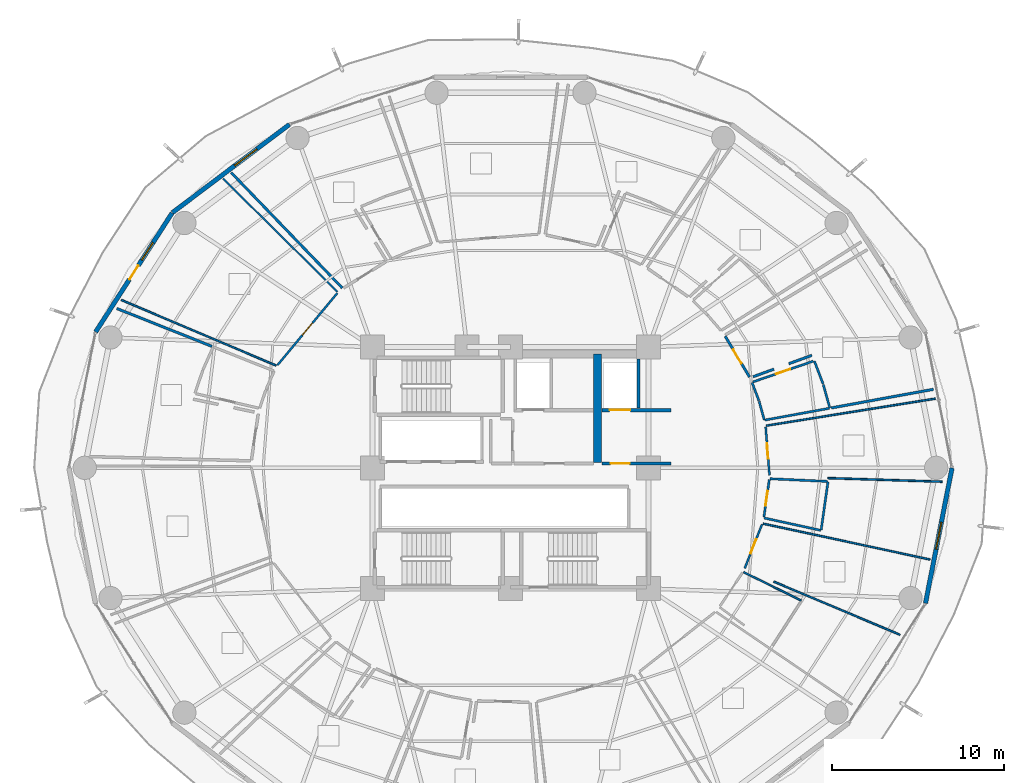
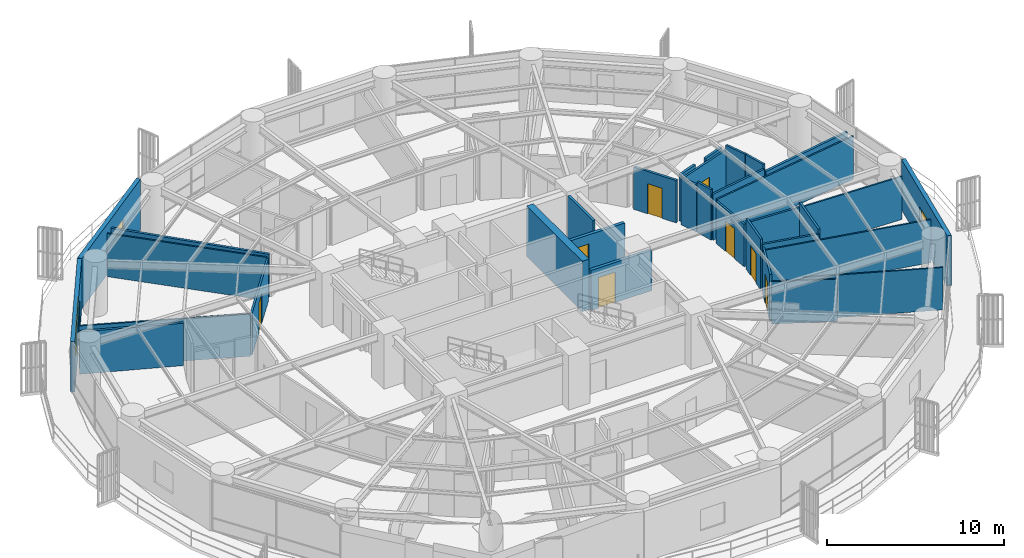
# One storey, part 27 of 33: 33 walls, 9 doors, 3 windows, 12 openings.
"""IFC4 building model written with IfcOpenShell, lengths in metres."""

from ifc_helpers import new_model, si_unit, direction, frame, frame_2d, origin, place, context, subcontext, project, spatial, rectangle, extrude, material, layer, layer_set, type_object, element, fill, save


model = new_model("IFC4")

# Units and contexts
model_context = context("Model", 3, precision=1e-05, world=origin(), true_north=direction((0.0, 1.0)))
body_context = subcontext(model_context, "Body", "Model", "MODEL_VIEW")
ifc_project = project(units=[si_unit("LENGTHUNIT", "METRE"), si_unit("AREAUNIT", "SQUARE_METRE"), si_unit("VOLUMEUNIT", "CUBIC_METRE"), si_unit("PLANEANGLEUNIT", "RADIAN"), si_unit("MASSUNIT", "GRAM", prefix="KILO")], contexts=[model_context])

# Site, building, storey
site_placement = place(None, origin())
site = spatial("IfcSite", under=ifc_project, at=site_placement, CompositionType="ELEMENT")
building_placement = place(site_placement, origin())
building = spatial("IfcBuilding", under=site, at=building_placement, Name="Kelanora Arch Commons", CompositionType="ELEMENT")
storey_placement = place(building_placement, frame((0.0, 0.0, 80.10009765625)))
storey = spatial("IfcBuildingStorey", under=building, at=storey_placement, Name="L20", CompositionType="ELEMENT", Elevation=80.10009765625)

# Wall
ifc_material_1 = material(Name="Autoclaved aerated concrete blockwork with fire plaster", Category="masonry")
ifc_layer_1 = layer(ifc_material_1, 0.14990234375)
ifc_layer_set_1 = layer_set([ifc_layer_1], Name="Autoclaved aerated concrete blockwork with fire plaster")
wall_type_1 = type_object("IfcWallType", Name="W-COMP-150", PredefinedType="PARTITIONING", material=ifc_layer_set_1)
wall_1_placement = place(storey_placement, frame((81.419921875, 61.47998046875, 0.0), z_axis=(0.0, 0.0, 1.0), x_axis=(0.0, 1.0, 0.0)))
element("IfcWall", 1, at=wall_1_placement, inside=storey, type_object=wall_type_1, Name="Firefighting Lift 2 East Shaft Wall L20", PredefinedType="PARTITIONING", context=body_context, shape_type="SweptSolid", body=[
    extrude(rectangle(XDim=2.840087890625, YDim=0.14990234375, at=frame_2d((1.419921875, 0.0))), origin(), (0.0, 0.0, 1.0), 3.47998046875),
])

# Wall, opening, door
wall_2_placement = place(storey_placement, frame((87.856201171875, 63.2666015625, 0.0), z_axis=(0.0, 0.0, 1.0), x_axis=(-0.512288635556, 0.858813340535, 0.0)))
wall_2 = element("IfcWall", 2, at=wall_2_placement, inside=storey, type_object=wall_type_1, Name="Co-Living Studio L20-01 Entry Partition", PredefinedType="PARTITIONING", context=body_context, shape_type="SweptSolid", body=[
    extrude(rectangle(XDim=2.751220703125, YDim=0.14990234375, at=frame_2d((1.37548828125, 0.0))), origin(), (0.0, 0.0, 1.0), 2.9248046875),
])
opening_1_placement = place(wall_2_placement, frame((0.90087890625, 0.0, 0.0)))
opening_1 = element("IfcOpeningElement", 3, at=opening_1_placement, cuts=wall_2, Name="Opening D-CLU1", PredefinedType="OPENING", context=body_context, shape_type="SweptSolid", body=[
    extrude(rectangle(XDim=0.949951171875, YDim=2.080078125, at=frame_2d((0.47509765625, 1.0400390625))), frame((0.0, 0.0849609375, 0.0), z_axis=(0.0, -1.0, 0.0), x_axis=(1.0, 0.0, 0.0)), (0.0, 0.0, 1.0), 0.169921875),
])
ifc_material_2 = material(Name="Solid-core acoustic timber cluster entry fire door", Category="wood")
door_type_1 = type_object("IfcDoorType", Name="D-CLU-95", OperationType="NOTDEFINED", PredefinedType="DOOR", material=ifc_material_2)
door_1_placement = place(opening_1_placement, origin())
door_1 = element("IfcDoor", 4, at=door_1_placement, inside=storey, type_object=door_type_1, Name="Co-Living Studio L20-01 Door", OperationType="SINGLE_SWING_RIGHT", OverallHeight=2.080078125, OverallWidth=0.949951171875, PredefinedType="DOOR", context=body_context, shape_type="SweptSolid", body=[
    extrude(rectangle(XDim=0.949951171875, YDim=2.080078125, at=frame_2d((0.47509765625, 1.0400390625))), frame((0.0, 0.02490234375, 0.0), z_axis=(0.0, -1.0, 0.0), x_axis=(1.0, 0.0, 0.0)), (0.0, 0.0, 1.0), 0.050048828125),
])
fill(opening_1, door_1)

# Walls
wall_3_placement = place(storey_placement, frame((98.51953125, 62.5517578125, 0.0), z_axis=(0.0, 0.0, 1.0), x_axis=(-0.983768558102, -0.17944197973, 0.0)))
element("IfcWall", 5, at=wall_3_placement, inside=storey, type_object=wall_type_1, Name="Co-Living Studio L20-01 Enclosure Partition 5", PredefinedType="PARTITIONING", context=body_context, shape_type="SweptSolid", body=[
    extrude(rectangle(XDim=6.021728515625, YDim=0.14990234375, at=frame_2d((3.0107421875, 0.0))), origin(), (0.0, 0.0, 1.0), 2.974853515625),
])
wall_4_placement = place(storey_placement, frame((91.470458984375, 64.521240234375, 0.0), z_axis=(0.0, 0.0, 1.0), x_axis=(-0.939526959999, -0.342474950084, 0.0)))
element("IfcWall", 6, at=wall_4_placement, inside=storey, type_object=wall_type_1, Name="Co-Living Studio L20-01 Enclosure Partition 7", PredefinedType="PARTITIONING", context=body_context, shape_type="SweptSolid", body=[
    extrude(rectangle(XDim=1.41943359375, YDim=0.14990234375, at=frame_2d((0.709716796875, 0.0))), origin(), (0.0, 0.0, 1.0), 3.1748046875),
])
wall_5_placement = place(storey_placement, frame((89.2724609375, 63.719970703125, 0.0), z_axis=(0.0, 0.0, 1.0), x_axis=(-0.939522570491, -0.342486991779, 0.0)))
element("IfcWall", 7, at=wall_5_placement, inside=storey, type_object=wall_type_1, Name="Co-Living Studio L20-01 Enclosure Partition 7", PredefinedType="PARTITIONING", context=body_context, shape_type="SweptSolid", body=[
    extrude(rectangle(XDim=1.291015625, YDim=0.14990234375, at=frame_2d((0.6455078125, 0.0))), origin(), (0.0, 0.0, 1.0), 3.23486328125),
])
wall_6_placement = place(storey_placement, frame((64.251220703125, 68.423828125, 0.0), z_axis=(0.0, 0.0, 1.0), x_axis=(-0.693645221886, 0.720316809574, 0.0)))
element("IfcWall", 8, at=wall_6_placement, inside=storey, type_object=wall_type_1, Name="Co-Living Studio L20-05 Enclosure Partition 2", PredefinedType="PARTITIONING", context=body_context, shape_type="SweptSolid", body=[
    extrude(rectangle(XDim=9.290771484375, YDim=0.14990234375, at=frame_2d((4.6455078125, 0.0))), origin(), (0.0, 0.0, 1.0), 2.974853515625),
])
wall_7_placement = place(storey_placement, frame((51.17919921875, 67.236083984375, 0.0), z_axis=(0.0, 0.0, 1.0), x_axis=(0.929212756669, -0.369545197294, 0.0)))
element("IfcWall", 9, at=wall_7_placement, inside=storey, type_object=wall_type_1, Name="Co-Living Studio L20-07 Enclosure Partition 5", PredefinedType="PARTITIONING", context=body_context, shape_type="SweptSolid", body=[
    extrude(rectangle(XDim=5.9326171875, YDim=0.14990234375, at=frame_2d((2.96630859375, 0.0))), origin(), (0.0, 0.0, 1.0), 2.9248046875),
])
ifc_material_3 = material(Name="Concrete C60/75", Category="concrete")
ifc_layer_2 = layer(ifc_material_3, 0.449951171875)
ifc_layer_set_2 = layer_set([ifc_layer_2], Name="Concrete C60/75")
wall_type_2 = type_object("IfcWallType", Name="W-CORE-450", PredefinedType="SHEAR", material=ifc_layer_set_2)
wall_8_placement = place(storey_placement, frame((79.050048828125, 58.300048828125, 0.0), z_axis=(0.0, 0.0, 1.0), x_axis=(0.0, 1.0, 0.0)))
element("IfcWall", 10, at=wall_8_placement, inside=storey, type_object=wall_type_2, Name="Core Shear Spine L20-CE-N", PredefinedType="SHEAR", context=body_context, shape_type="SweptSolid", body=[
    extrude(rectangle(XDim=6.300048828125, YDim=0.449951171875, at=frame_2d((3.14990234375, 0.0))), origin(), (0.0, 0.0, 1.0), 3.489990234375),
])

# Wall, opening, window
ifc_material_4 = material(Name="Precast concrete C40/50 with terracotta rainscreen", Category="masonry")
ifc_layer_3 = layer(ifc_material_4, 0.260009765625)
ifc_layer_set_3 = layer_set([ifc_layer_3], Name="Precast concrete C40/50 with terracotta rainscreen")
wall_type_3 = type_object("IfcWallType", Name="W-EXT-TC", PredefinedType="SOLIDWALL", material=ifc_layer_set_3)
wall_9_placement = place(storey_placement, frame((61.18798828125, 77.90966796875, 0.0), z_axis=(0.0, 0.0, 1.0), x_axis=(-0.798501507879, -0.601992808857, 0.0)))
wall_9 = element("IfcWall", 11, at=wall_9_placement, inside=storey, type_object=wall_type_3, Name="Terracotta Exterior Wall L20-B06", PredefinedType="SOLIDWALL", context=body_context, shape_type="SweptSolid", body=[
    extrude(rectangle(XDim=8.499267578125, YDim=0.260009765625, at=frame_2d((4.24951171875, 0.0))), origin(), (0.0, 0.0, 1.0), 3.474853515625),
])
opening_2_placement = place(wall_9_placement, frame((2.3701171875, 0.0, 0.85009765625)))
opening_2 = element("IfcOpeningElement", 12, at=opening_2_placement, cuts=wall_9, Name="Opening WN-01", PredefinedType="OPENING", context=body_context, shape_type="SweptSolid", body=[
    extrude(rectangle(XDim=1.60009765625, YDim=1.449951171875, at=frame_2d((0.800048828125, 0.72509765625))), frame((0.0, 0.14013671875, 0.0), z_axis=(0.0, -1.0, 0.0), x_axis=(1.0, 0.0, 0.0)), (0.0, 0.0, 1.0), 0.280029296875),
])
ifc_material_5 = material(Name="Terracotta-anodised aluminium frame with operable low-E glazing", Category="masonry")
window_type_1 = type_object("IfcWindowType", Name="WIN-CL-18", PartitioningType="DOUBLE_PANEL_VERTICAL", PredefinedType="WINDOW", material=ifc_material_5)
window_1_placement = place(opening_2_placement, origin())
window_1 = element("IfcWindow", 13, at=window_1_placement, inside=storey, type_object=window_type_1, Name="Co-Living Operable Window L20-B06", OverallHeight=1.449951171875, OverallWidth=1.60009765625, PartitioningType="SINGLE_PANEL", PredefinedType="WINDOW", context=body_context, shape_type="SweptSolid", body=[
    extrude(rectangle(XDim=1.60009765625, YDim=1.449951171875, at=frame_2d((0.800048828125, 0.72509765625))), frame((0.0, 0.030029296875, 0.0), z_axis=(0.0, -1.0, 0.0), x_axis=(1.0, 0.0, 0.0)), (0.0, 0.0, 1.0), 0.06005859375),
])
fill(opening_2, window_1)

# Wall, openings, door, window
wall_10_placement = place(storey_placement, frame((54.381103515625, 72.771484375, 0.0), z_axis=(0.0, 0.0, 1.0), x_axis=(-0.540620528459, -0.841266571432, 0.0)))
wall_10 = element("IfcWall", 14, at=wall_10_placement, inside=storey, type_object=wall_type_3, Name="Terracotta Exterior Wall L20-B07", PredefinedType="SOLIDWALL", context=body_context, shape_type="SweptSolid", body=[
    extrude(rectangle(XDim=8.19287109375, YDim=0.260009765625, at=frame_2d((4.096435546875, 0.0))), origin(), (0.0, 0.0, 1.0), 3.474853515625),
])
opening_3_placement = place(wall_10_placement, frame((3.62109375, 0.0, 0.0)))
opening_3 = element("IfcOpeningElement", 15, at=opening_3_placement, cuts=wall_10, Name="Opening DB-01", PredefinedType="OPENING", context=body_context, shape_type="SweptSolid", body=[
    extrude(rectangle(XDim=0.949951171875, YDim=2.10009765625, at=frame_2d((0.47509765625, 1.050048828125))), frame((0.0, 0.14013671875, 0.0), z_axis=(0.0, -1.0, 0.0), x_axis=(1.0, 0.0, 0.0)), (0.0, 0.0, 1.0), 0.280029296875),
])
opening_4_placement = place(wall_10_placement, frame((2.041015625, 0.0, 0.85009765625)))
opening_4 = element("IfcOpeningElement", 16, at=opening_4_placement, cuts=wall_10, Name="Opening WN-02", PredefinedType="OPENING", context=body_context, shape_type="SweptSolid", body=[
    extrude(rectangle(XDim=1.199951171875, YDim=1.449951171875, at=frame_2d((0.60009765625, 0.72509765625))), frame((0.0, 0.14013671875, 0.0), z_axis=(0.0, -1.0, 0.0), x_axis=(1.0, 0.0, 0.0)), (0.0, 0.0, 1.0), 0.280029296875),
])
ifc_material_6 = material(Name="Terracotta-aluminium thermally broken glazed balcony door", Category="masonry")
door_type_2 = type_object("IfcDoorType", Name="D-BAL-10", OperationType="NOTDEFINED", PredefinedType="DOOR", material=ifc_material_6)
door_2_placement = place(opening_3_placement, frame((0.949951171875, 0.0, 0.0), z_axis=(0.0, 0.0, 1.0), x_axis=(-1.0, 0.0, 0.0)))
door_2 = element("IfcDoor", 17, at=door_2_placement, inside=storey, type_object=door_type_2, Name="Wave Balcony Door L20-B07", OperationType="SINGLE_SWING_RIGHT", OverallHeight=2.10009765625, OverallWidth=0.949951171875, PredefinedType="DOOR", context=body_context, shape_type="SweptSolid", body=[
    extrude(rectangle(XDim=0.949951171875, YDim=2.10009765625, at=frame_2d((0.47509765625, 1.050048828125))), frame((0.0, 0.02490234375, 0.0), z_axis=(0.0, -1.0, 0.0), x_axis=(1.0, 0.0, 0.0)), (0.0, 0.0, 1.0), 0.050048828125),
])
fill(opening_3, door_2)
ifc_material_7 = material(Name="Terracotta-anodised aluminium frame with operable awning sash", Category="masonry")
window_type_2 = type_object("IfcWindowType", Name="WIN-CL-12", PartitioningType="SINGLE_PANEL", PredefinedType="WINDOW", material=ifc_material_7)
window_2_placement = place(opening_4_placement, origin())
window_2 = element("IfcWindow", 18, at=window_2_placement, inside=storey, type_object=window_type_2, Name="Co-Living Operable Window L20-B07", OverallHeight=1.449951171875, OverallWidth=1.199951171875, PartitioningType="SINGLE_PANEL", PredefinedType="WINDOW", context=body_context, shape_type="SweptSolid", body=[
    extrude(rectangle(XDim=1.199951171875, YDim=1.449951171875, at=frame_2d((0.60009765625, 0.72509765625))), frame((0.0, 0.030029296875, 0.0), z_axis=(0.0, -1.0, 0.0), x_axis=(1.0, 0.0, 0.0)), (0.0, 0.0, 1.0), 0.06005859375),
])
fill(opening_4, window_2)

# Wall, opening, window
wall_11_placement = place(storey_placement, frame((98.05908203125, 50.148193359375, 0.0), z_axis=(0.0, 0.0, 1.0), x_axis=(0.192581843632, 0.981280914674, 0.0)))
wall_11 = element("IfcWall", 19, at=wall_11_placement, inside=storey, type_object=wall_type_3, Name="Terracotta Exterior Wall L20-B17", PredefinedType="SOLIDWALL", context=body_context, shape_type="SweptSolid", body=[
    extrude(rectangle(XDim=7.986572265625, YDim=0.260009765625, at=frame_2d((3.9931640625, 0.0))), origin(), (0.0, 0.0, 1.0), 3.474853515625),
])
opening_5_placement = place(wall_11_placement, frame((3.193115234375, 0.0, 0.85009765625)))
opening_5 = element("IfcOpeningElement", 20, at=opening_5_placement, cuts=wall_11, Name="Opening WN-01", PredefinedType="OPENING", context=body_context, shape_type="SweptSolid", body=[
    extrude(rectangle(XDim=1.60009765625, YDim=1.449951171875, at=frame_2d((0.800048828125, 0.72509765625))), frame((0.0, 0.14013671875, 0.0), z_axis=(0.0, -1.0, 0.0), x_axis=(1.0, 0.0, 0.0)), (0.0, 0.0, 1.0), 0.280029296875),
])
window_3_placement = place(opening_5_placement, origin())
window_3 = element("IfcWindow", 21, at=window_3_placement, inside=storey, type_object=window_type_1, Name="Co-Living Operable Window L20-B17", OverallHeight=1.449951171875, OverallWidth=1.60009765625, PartitioningType="SINGLE_PANEL", PredefinedType="WINDOW", context=body_context, shape_type="SweptSolid", body=[
    extrude(rectangle(XDim=1.60009765625, YDim=1.449951171875, at=frame_2d((0.800048828125, 0.72509765625))), frame((0.0, 0.030029296875, 0.0), z_axis=(0.0, -1.0, 0.0), x_axis=(1.0, 0.0, 0.0)), (0.0, 0.0, 1.0), 0.06005859375),
])
fill(opening_5, window_3)

# Wall, opening, door
ifc_material_8 = material(Name="Concrete C40/50", Category="concrete")
ifc_layer_4 = layer(ifc_material_8, 0.199951171875)
ifc_layer_set_4 = layer_set([ifc_layer_4], Name="Concrete C40/50")
wall_type_4 = type_object("IfcWallType", Name="W-FFL-200", PredefinedType="SOLIDWALL", material=ifc_layer_set_4)
wall_12_placement = place(storey_placement, frame((79.300048828125, 61.35009765625, 0.0), z_axis=(0.0, 0.0, 1.0), x_axis=(1.0, 0.0, 0.0)))
wall_12 = element("IfcWall", 22, at=wall_12_placement, inside=storey, type_object=wall_type_4, Name="Firefighting Lift 2 Shaft Front L20", PredefinedType="SOLIDWALL", context=body_context, shape_type="SweptSolid", body=[
    extrude(rectangle(XDim=4.0, YDim=0.199951171875, at=frame_2d((2.0, 0.0))), origin(), (0.0, 0.0, 1.0), 2.77490234375),
])
opening_6_placement = place(wall_12_placement, frame((0.449951171875, 0.0, 0.0)))
opening_6 = element("IfcOpeningElement", 23, at=opening_6_placement, cuts=wall_12, Name="Opening LD-FF", PredefinedType="OPENING", context=body_context, shape_type="SweptSolid", body=[
    extrude(rectangle(XDim=1.199951171875, YDim=2.14990234375, at=frame_2d((0.60009765625, 1.074951171875))), frame((0.0, 0.10986328125, 0.0), z_axis=(0.0, -1.0, 0.0), x_axis=(1.0, 0.0, 0.0)), (0.0, 0.0, 1.0), 0.219970703125),
])
ifc_material_9 = material(Name="Fire-rated firefighters lift sliding landing door")
door_type_3 = type_object("IfcDoorType", Name="D-LIFT-FF", OperationType="NOTDEFINED", PredefinedType="DOOR", material=ifc_material_9)
door_3_placement = place(opening_6_placement, origin())
door_3 = element("IfcDoor", 24, at=door_3_placement, inside=storey, type_object=door_type_3, Name="Firefighting Lift LF-FF2 Landing Door L20", OperationType="DOUBLE_DOOR_SLIDING", OverallHeight=2.14990234375, OverallWidth=1.199951171875, PredefinedType="DOOR", context=body_context, shape_type="SweptSolid", body=[
    extrude(rectangle(XDim=1.199951171875, YDim=2.14990234375, at=frame_2d((0.60009765625, 1.074951171875))), frame((0.0, 0.02490234375, 0.0), z_axis=(0.0, -1.0, 0.0), x_axis=(1.0, 0.0, 0.0)), (0.0, 0.0, 1.0), 0.050048828125),
])
fill(opening_6, door_3)

wall_13_placement = place(storey_placement, frame((79.300048828125, 58.25, 0.0), z_axis=(0.0, 0.0, 1.0), x_axis=(1.0, 0.0, 0.0)))
wall_13 = element("IfcWall", 25, at=wall_13_placement, inside=storey, type_object=wall_type_4, Name="Firefighting Lobby 2 Enclosure Wall L20", PredefinedType="SOLIDWALL", context=body_context, shape_type="SweptSolid", body=[
    extrude(rectangle(XDim=4.0, YDim=0.199951171875, at=frame_2d((2.0, 0.0))), origin(), (0.0, 0.0, 1.0), 2.77490234375),
])
opening_7_placement = place(wall_13_placement, frame((0.5, 0.0, 0.0)))
opening_7 = element("IfcOpeningElement", 26, at=opening_7_placement, cuts=wall_13, Name="Opening D-FFL1", PredefinedType="OPENING", context=body_context, shape_type="SweptSolid", body=[
    extrude(rectangle(XDim=1.10009765625, YDim=2.10009765625, at=frame_2d((0.550048828125, 1.050048828125))), frame((0.0, 0.10986328125, 0.0), z_axis=(0.0, -1.0, 0.0), x_axis=(1.0, 0.0, 0.0)), (0.0, 0.0, 1.0), 0.219970703125),
])
ifc_material_10 = material(Name="Smoke-sealed firefighting lobby fire door")
door_type_4 = type_object("IfcDoorType", Name="D-FFL-110", OperationType="NOTDEFINED", PredefinedType="DOOR", material=ifc_material_10)
door_4_placement = place(opening_7_placement, frame((1.10009765625, 0.0, 0.0), z_axis=(0.0, 0.0, 1.0), x_axis=(-1.0, 0.0, 0.0)))
door_4 = element("IfcDoor", 27, at=door_4_placement, inside=storey, type_object=door_type_4, Name="Firefighting Lobby 2 Door L20", OperationType="SINGLE_SWING_RIGHT", OverallHeight=2.10009765625, OverallWidth=1.10009765625, PredefinedType="DOOR", context=body_context, shape_type="SweptSolid", body=[
    extrude(rectangle(XDim=1.10009765625, YDim=2.10009765625, at=frame_2d((0.550048828125, 1.050048828125))), frame((0.0, 0.02490234375, 0.0), z_axis=(0.0, -1.0, 0.0), x_axis=(1.0, 0.0, 0.0)), (0.0, 0.0, 1.0), 0.050048828125),
])
fill(opening_7, door_4)

# Walls
ifc_material_11 = material(Name="Lightweight fire-rated acoustic stud partition")
ifc_layer_5 = layer(ifc_material_11, 0.10009765625)
ifc_layer_set_5 = layer_set([ifc_layer_5], Name="Lightweight fire-rated acoustic stud partition")
wall_type_5 = type_object("IfcWallType", Name="W-PART-100", PredefinedType="PARTITIONING", material=ifc_layer_set_5)
wall_14_placement = place(storey_placement, frame((60.420166015625, 63.926513671875, 0.0), z_axis=(0.0, 0.0, 1.0), x_axis=(-0.920723225206, 0.390216276654, 0.0)))
element("IfcWall", 28, at=wall_14_placement, inside=storey, type_object=wall_type_5, Name="Social Sky Lounge L20-06 Enclosure Partition 2", PredefinedType="PARTITIONING", context=body_context, shape_type="SweptSolid", body=[
    extrude(rectangle(XDim=9.755859375, YDim=0.10009765625, at=frame_2d((4.8779296875, 0.0))), origin(), (0.0, 0.0, 1.0), 2.9248046875),
])
wall_15_placement = place(storey_placement, frame((57.344482421875, 74.755859375, 0.0), z_axis=(0.0, 0.0, 1.0), x_axis=(0.711285789258, -0.702902927864, 0.0)))
element("IfcWall", 29, at=wall_15_placement, inside=storey, type_object=wall_type_5, Name="Social Sky Lounge L20-06 Enclosure Partition 4", PredefinedType="PARTITIONING", context=body_context, shape_type="SweptSolid", body=[
    extrude(rectangle(XDim=9.319580078125, YDim=0.10009765625, at=frame_2d((4.65966796875, 0.0))), origin(), (0.0, 0.0, 1.0), 2.974853515625),
])
wall_16_placement = place(storey_placement, frame((87.515869140625, 51.953369140625, 0.0), z_axis=(0.0, 0.0, 1.0), x_axis=(0.896816300292, -0.442403123328, 0.0)))
element("IfcWall", 30, at=wall_16_placement, inside=storey, type_object=wall_type_5, Name="Student Laundry Room L20-14 Enclosure Partition 2", PredefinedType="PARTITIONING", context=body_context, shape_type="SweptSolid", body=[
    extrude(rectangle(XDim=3.719970703125, YDim=0.10009765625, at=frame_2d((1.85986328125, 0.0))), origin(), (0.0, 0.0, 1.0), 2.9248046875),
])
wall_17_placement = place(storey_placement, frame((88.64111328125, 54.763671875, 0.0), z_axis=(0.0, 0.0, 1.0), x_axis=(0.97772336182, -0.209897660187, 0.0)))
element("IfcWall", 31, at=wall_17_placement, inside=storey, type_object=wall_type_5, Name="Quiet Reading Carrel L20-14 Enclosure Partition 2", PredefinedType="PARTITIONING", context=body_context, shape_type="SweptSolid", body=[
    extrude(rectangle(XDim=9.906494140625, YDim=0.10009765625, at=frame_2d((4.953125, 0.0))), origin(), (0.0, 0.0, 1.0), 2.974853515625),
])
wall_18_placement = place(storey_placement, frame((96.590087890625, 48.318603515625, 0.0), z_axis=(0.0, 0.0, 1.0), x_axis=(-0.92163364156, 0.388061117279, 0.0)))
element("IfcWall", 32, at=wall_18_placement, inside=storey, type_object=wall_type_5, Name="Quiet Reading Carrel L20-14 Enclosure Partition 4", PredefinedType="PARTITIONING", context=body_context, shape_type="SweptSolid", body=[
    extrude(rectangle(XDim=7.952880859375, YDim=0.10009765625, at=frame_2d((3.9765625, 0.0))), origin(), (0.0, 0.0, 1.0), 2.9248046875),
])
wall_19_placement = place(storey_placement, frame((88.827392578125, 60.443359375, 0.0), z_axis=(0.0, 0.0, 1.0), x_axis=(0.987442472226, 0.157978998742, 0.0)))
element("IfcWall", 33, at=wall_19_placement, inside=storey, type_object=wall_type_5, Name="Tutorial Study Alcove L20-15 Enclosure Partition 2", PredefinedType="PARTITIONING", context=body_context, shape_type="SweptSolid", body=[
    extrude(rectangle(XDim=9.933837890625, YDim=0.10009765625, at=frame_2d((4.966796875, 0.0))), origin(), (0.0, 0.0, 1.0), 2.974853515625),
])
wall_20_placement = place(storey_placement, frame((99.02392578125, 57.1953125, 0.0), z_axis=(0.0, 0.0, 1.0), x_axis=(-0.999502833447, 0.031529128296, 0.0)))
element("IfcWall", 34, at=wall_20_placement, inside=storey, type_object=wall_type_5, Name="Tutorial Study Alcove L20-15 Enclosure Partition 4", PredefinedType="PARTITIONING", context=body_context, shape_type="SweptSolid", body=[
    extrude(rectangle(XDim=6.628173828125, YDim=0.10009765625, at=frame_2d((3.31396484375, 0.0))), origin(), (0.0, 0.0, 1.0), 2.974853515625),
])

# Wall, opening, door
ifc_material_12 = material(Name="Acoustic twin-stud fire-rated gypsum partition")
ifc_layer_6 = layer(ifc_material_12, 0.1201171875)
ifc_layer_set_6 = layer_set([ifc_layer_6], Name="Acoustic twin-stud fire-rated gypsum partition")
wall_type_6 = type_object("IfcWallType", Name="W-PART-120", PredefinedType="PARTITIONING", material=ifc_layer_set_6)
wall_21_placement = place(storey_placement, frame((63.963623046875, 68.130859375, 0.0), z_axis=(0.0, 0.0, 1.0), x_axis=(-0.639104047727, -0.769120287198, 0.0)))
wall_21 = element("IfcWall", 35, at=wall_21_placement, inside=storey, type_object=wall_type_6, Name="Social Sky Lounge L20-06 Entry Partition", PredefinedType="PARTITIONING", context=body_context, shape_type="SweptSolid", body=[
    extrude(rectangle(XDim=5.4267578125, YDim=0.1201171875, at=frame_2d((2.71337890625, 0.0))), origin(), (0.0, 0.0, 1.0), 2.9248046875),
])
opening_8_placement = place(wall_21_placement, frame((2.262939453125, 0.0, 0.0)))
opening_8 = element("IfcOpeningElement", 36, at=opening_8_placement, cuts=wall_21, Name="Opening D-RM1", PredefinedType="OPENING", context=body_context, shape_type="SweptSolid", body=[
    extrude(rectangle(XDim=0.89990234375, YDim=2.080078125, at=frame_2d((0.449951171875, 1.0400390625))), frame((0.0, 0.070068359375, 0.0), z_axis=(0.0, -1.0, 0.0), x_axis=(1.0, 0.0, 0.0)), (0.0, 0.0, 1.0), 0.14013671875),
])
ifc_material_13 = material(Name="Acoustic fire-rated timber study and lounge door", Category="wood")
door_type_5 = type_object("IfcDoorType", Name="D-ROOM-90", OperationType="NOTDEFINED", PredefinedType="DOOR", material=ifc_material_13)
door_5_placement = place(opening_8_placement, origin())
door_5 = element("IfcDoor", 37, at=door_5_placement, inside=storey, type_object=door_type_5, Name="Social Sky Lounge L20-06 Door", OperationType="SINGLE_SWING_RIGHT", OverallHeight=2.080078125, OverallWidth=0.89990234375, PredefinedType="DOOR", context=body_context, shape_type="SweptSolid", body=[
    extrude(rectangle(XDim=0.89990234375, YDim=2.080078125, at=frame_2d((0.449951171875, 1.0400390625))), frame((0.0, 0.02490234375, 0.0), z_axis=(0.0, -1.0, 0.0), x_axis=(1.0, 0.0, 0.0)), (0.0, 0.0, 1.0), 0.050048828125),
])
fill(opening_8, door_5)

wall_22_placement = place(storey_placement, frame((87.581787109375, 52.1767578125, 0.0), z_axis=(0.0, 0.0, 1.0), x_axis=(0.365846135531, 0.930675348936, 0.0)))
wall_22 = element("IfcWall", 38, at=wall_22_placement, inside=storey, type_object=wall_type_6, Name="Quiet Reading Carrel L20-14 Entry Partition", PredefinedType="PARTITIONING", context=body_context, shape_type="SweptSolid", body=[
    extrude(rectangle(XDim=2.728759765625, YDim=0.1201171875, at=frame_2d((1.3642578125, 0.0))), origin(), (0.0, 0.0, 1.0), 3.23486328125),
])
opening_9_placement = place(wall_22_placement, frame((0.9140625, 0.0, 0.0)))
opening_9 = element("IfcOpeningElement", 39, at=opening_9_placement, cuts=wall_22, Name="Opening D-RM1", PredefinedType="OPENING", context=body_context, shape_type="SweptSolid", body=[
    extrude(rectangle(XDim=0.89990234375, YDim=2.080078125, at=frame_2d((0.449951171875, 1.0400390625))), frame((0.0, 0.070068359375, 0.0), z_axis=(0.0, -1.0, 0.0), x_axis=(1.0, 0.0, 0.0)), (0.0, 0.0, 1.0), 0.14013671875),
])
door_6_placement = place(opening_9_placement, origin())
door_6 = element("IfcDoor", 40, at=door_6_placement, inside=storey, type_object=door_type_5, Name="Quiet Reading Carrel L20-14 Door", OperationType="SINGLE_SWING_RIGHT", OverallHeight=2.080078125, OverallWidth=0.89990234375, PredefinedType="DOOR", context=body_context, shape_type="SweptSolid", body=[
    extrude(rectangle(XDim=0.89990234375, YDim=2.080078125, at=frame_2d((0.449951171875, 1.0400390625))), frame((0.0, 0.02490234375, 0.0), z_axis=(0.0, -1.0, 0.0), x_axis=(1.0, 0.0, 0.0)), (0.0, 0.0, 1.0), 0.050048828125),
])
fill(opening_9, door_6)

wall_23_placement = place(storey_placement, frame((89.015380859375, 57.57080078125, 0.0), z_axis=(0.0, 0.0, 1.0), x_axis=(-0.079090310477, 0.996867454975, 0.0)))
wall_23 = element("IfcWall", 41, at=wall_23_placement, inside=storey, type_object=wall_type_6, Name="Tutorial Study Alcove L20-15 Entry Partition", PredefinedType="PARTITIONING", context=body_context, shape_type="SweptSolid", body=[
    extrude(rectangle(XDim=2.815185546875, YDim=0.1201171875, at=frame_2d((1.40771484375, 0.0))), origin(), (0.0, 0.0, 1.0), 2.9248046875),
])
opening_10_placement = place(wall_23_placement, frame((0.9580078125, 0.0, 0.0)))
opening_10 = element("IfcOpeningElement", 42, at=opening_10_placement, cuts=wall_23, Name="Opening D-RM1", PredefinedType="OPENING", context=body_context, shape_type="SweptSolid", body=[
    extrude(rectangle(XDim=0.89990234375, YDim=2.080078125, at=frame_2d((0.449951171875, 1.0400390625))), frame((0.0, 0.070068359375, 0.0), z_axis=(0.0, -1.0, 0.0), x_axis=(1.0, 0.0, 0.0)), (0.0, 0.0, 1.0), 0.14013671875),
])
door_7_placement = place(opening_10_placement, origin())
door_7 = element("IfcDoor", 43, at=door_7_placement, inside=storey, type_object=door_type_5, Name="Tutorial Study Alcove L20-15 Door", OperationType="SINGLE_SWING_RIGHT", OverallHeight=2.080078125, OverallWidth=0.89990234375, PredefinedType="DOOR", context=body_context, shape_type="SweptSolid", body=[
    extrude(rectangle(XDim=0.89990234375, YDim=2.080078125, at=frame_2d((0.449951171875, 1.0400390625))), frame((0.0, 0.02490234375, 0.0), z_axis=(0.0, -1.0, 0.0), x_axis=(1.0, 0.0, 0.0)), (0.0, 0.0, 1.0), 0.050048828125),
])
fill(opening_10, door_7)

ifc_material_14 = material(Name="Moisture-resistant fire-rated cement-board plumbing wall")
ifc_layer_7 = layer(ifc_material_14, 0.1298828125)
ifc_layer_set_7 = layer_set([ifc_layer_7], Name="Moisture-resistant fire-rated cement-board plumbing wall")
wall_type_7 = type_object("IfcWallType", Name="W-WET-120", PredefinedType="PLUMBINGWALL", material=ifc_layer_set_7)
wall_24_placement = place(storey_placement, frame((88.0556640625, 62.98046875, 0.0), z_axis=(0.0, 0.0, 1.0), x_axis=(0.94570750663, 0.325018940838, 0.0)))
wall_24 = element("IfcWall", 44, at=wall_24_placement, inside=storey, type_object=wall_type_7, Name="En-Suite Shower WC L20-01 Entry Partition", PredefinedType="PLUMBINGWALL", context=body_context, shape_type="SweptSolid", body=[
    extrude(rectangle(XDim=3.70166015625, YDim=0.1298828125, at=frame_2d((1.850830078125, 0.0))), origin(), (0.0, 0.0, 1.0), 3.1748046875),
])
opening_11_placement = place(wall_24_placement, frame((1.4208984375, 0.0, 0.0)))
opening_11 = element("IfcOpeningElement", 45, at=opening_11_placement, cuts=wall_24, Name="Opening D-BT1", PredefinedType="OPENING", context=body_context, shape_type="SweptSolid", body=[
    extrude(rectangle(XDim=0.860107421875, YDim=2.050048828125, at=frame_2d((0.43017578125, 1.02490234375))), frame((0.0, 0.074951171875, 0.0), z_axis=(0.0, -1.0, 0.0), x_axis=(1.0, 0.0, 0.0)), (0.0, 0.0, 1.0), 0.14990234375),
])
ifc_material_15 = material(Name="Moisture-sealed fire-rated accessible bathroom door")
door_type_6 = type_object("IfcDoorType", Name="D-BATH-85", OperationType="NOTDEFINED", PredefinedType="DOOR", material=ifc_material_15)
door_8_placement = place(opening_11_placement, origin())
door_8 = element("IfcDoor", 46, at=door_8_placement, inside=storey, type_object=door_type_6, Name="En-Suite Shower WC L20-01 Door", OperationType="SINGLE_SWING_LEFT", OverallHeight=2.050048828125, OverallWidth=0.860107421875, PredefinedType="DOOR", context=body_context, shape_type="SweptSolid", body=[
    extrude(rectangle(XDim=0.860107421875, YDim=2.050048828125, at=frame_2d((0.43017578125, 1.02490234375))), frame((0.0, 0.02490234375, 0.0), z_axis=(0.0, -1.0, 0.0), x_axis=(1.0, 0.0, 0.0)), (0.0, 0.0, 1.0), 0.050048828125),
])
fill(opening_11, door_8)

wall_25_placement = place(storey_placement, frame((88.693603515625, 55.155517578125, 0.0), z_axis=(0.0, 0.0, 1.0), x_axis=(0.14330641518, 0.989678367637, 0.0)))
wall_25 = element("IfcWall", 47, at=wall_25_placement, inside=storey, type_object=wall_type_7, Name="Accessible Shared Floor WC L20-15 Entry Partition", PredefinedType="PLUMBINGWALL", context=body_context, shape_type="SweptSolid", body=[
    extrude(rectangle(XDim=2.175537109375, YDim=0.1298828125, at=frame_2d((1.087890625, 0.0))), origin(), (0.0, 0.0, 1.0), 3.47998046875),
])
opening_12_placement = place(wall_25_placement, frame((0.657958984375, 0.0, 0.0)))
opening_12 = element("IfcOpeningElement", 48, at=opening_12_placement, cuts=wall_25, Name="Opening D-BT1", PredefinedType="OPENING", context=body_context, shape_type="SweptSolid", body=[
    extrude(rectangle(XDim=0.860107421875, YDim=2.050048828125, at=frame_2d((0.43017578125, 1.02490234375))), frame((0.0, 0.074951171875, 0.0), z_axis=(0.0, -1.0, 0.0), x_axis=(1.0, 0.0, 0.0)), (0.0, 0.0, 1.0), 0.14990234375),
])
door_9_placement = place(opening_12_placement, origin())
door_9 = element("IfcDoor", 49, at=door_9_placement, inside=storey, type_object=door_type_6, Name="Accessible Shared Floor WC L20-15 Door", OperationType="SINGLE_SWING_LEFT", OverallHeight=2.050048828125, OverallWidth=0.860107421875, PredefinedType="DOOR", context=body_context, shape_type="SweptSolid", body=[
    extrude(rectangle(XDim=0.860107421875, YDim=2.050048828125, at=frame_2d((0.43017578125, 1.02490234375))), frame((0.0, 0.02490234375, 0.0), z_axis=(0.0, -1.0, 0.0), x_axis=(1.0, 0.0, 0.0)), (0.0, 0.0, 1.0), 0.050048828125),
])
fill(opening_12, door_9)

# Walls
wall_26_placement = place(storey_placement, frame((88.712646484375, 60.783203125, 0.0), z_axis=(0.0, 0.0, 1.0), x_axis=(-0.267768177699, 0.963483369349, 0.0)))
element("IfcWall", 50, at=wall_26_placement, inside=storey, type_object=wall_type_7, Name="En-Suite Shower WC L20-01 Enclosure Partition 1", PredefinedType="PLUMBINGWALL", context=body_context, shape_type="SweptSolid", body=[
    extrude(rectangle(XDim=1.1142578125, YDim=0.1298828125, at=frame_2d((0.55712890625, 0.0))), origin(), (0.0, 0.0, 1.0), 3.47998046875),
])
wall_27_placement = place(storey_placement, frame((88.40185546875, 61.894775390625, 0.0), z_axis=(0.0, 0.0, 1.0), x_axis=(-0.353392089541, 0.935475296868, 0.0)))
element("IfcWall", 51, at=wall_27_placement, inside=storey, type_object=wall_type_7, Name="En-Suite Shower WC L20-01 Enclosure Partition 2", PredefinedType="PLUMBINGWALL", context=body_context, shape_type="SweptSolid", body=[
    extrude(rectangle(XDim=1.119873046875, YDim=0.1298828125, at=frame_2d((0.56005859375, 0.0))), origin(), (0.0, 0.0, 1.0), 3.23486328125),
])
wall_28_placement = place(storey_placement, frame((91.6201171875, 64.184326171875, 0.0), z_axis=(0.0, 0.0, 1.0), x_axis=(0.355383981736, -0.934720399652, 0.0)))
element("IfcWall", 52, at=wall_28_placement, inside=storey, type_object=wall_type_7, Name="En-Suite Shower WC L20-01 Enclosure Partition 4", PredefinedType="PLUMBINGWALL", context=body_context, shape_type="SweptSolid", body=[
    extrude(rectangle(XDim=1.41162109375, YDim=0.1298828125, at=frame_2d((0.705810546875, 0.0))), origin(), (0.0, 0.0, 1.0), 3.47998046875),
])
wall_29_placement = place(storey_placement, frame((92.134521484375, 62.82666015625, 0.0), z_axis=(0.0, 0.0, 1.0), x_axis=(0.268855284743, -0.963180583206, 0.0)))
element("IfcWall", 53, at=wall_29_placement, inside=storey, type_object=wall_type_7, Name="En-Suite Shower WC L20-01 Enclosure Partition 5", PredefinedType="PLUMBINGWALL", context=body_context, shape_type="SweptSolid", body=[
    extrude(rectangle(XDim=1.403076171875, YDim=0.1298828125, at=frame_2d((0.70166015625, 0.0))), origin(), (0.0, 0.0, 1.0), 3.47998046875),
])
wall_30_placement = place(storey_placement, frame((92.497314453125, 61.452392578125, 0.0), z_axis=(0.0, 0.0, 1.0), x_axis=(-0.983811592037, -0.17920589101, 0.0)))
element("IfcWall", 54, at=wall_30_placement, inside=storey, type_object=wall_type_7, Name="En-Suite Shower WC L20-01 Enclosure Partition 6", PredefinedType="PLUMBINGWALL", context=body_context, shape_type="SweptSolid", body=[
    extrude(rectangle(XDim=3.8212890625, YDim=0.1298828125, at=frame_2d((1.91064453125, 0.0))), origin(), (0.0, 0.0, 1.0), 3.1748046875),
])
wall_31_placement = place(storey_placement, frame((89.033935546875, 57.3671875, 0.0), z_axis=(0.0, 0.0, 1.0), x_axis=(0.998931351305, -0.046218560994, 0.0)))
element("IfcWall", 55, at=wall_31_placement, inside=storey, type_object=wall_type_7, Name="Accessible Shared Floor WC L20-15 Enclosure Partition 2", PredefinedType="PLUMBINGWALL", context=body_context, shape_type="SweptSolid", body=[
    extrude(rectangle(XDim=3.359619140625, YDim=0.1298828125, at=frame_2d((1.6796875, 0.0))), origin(), (0.0, 0.0, 1.0), 3.1748046875),
])
wall_32_placement = place(storey_placement, frame((92.4072265625, 57.191162109375, 0.0), z_axis=(0.0, 0.0, 1.0), x_axis=(-0.140575090878, -0.990070019658, 0.0)))
element("IfcWall", 56, at=wall_32_placement, inside=storey, type_object=wall_type_7, Name="Accessible Shared Floor WC L20-15 Enclosure Partition 3", PredefinedType="PLUMBINGWALL", context=body_context, shape_type="SweptSolid", body=[
    extrude(rectangle(XDim=2.827392578125, YDim=0.1298828125, at=frame_2d((1.41357421875, 0.0))), origin(), (0.0, 0.0, 1.0), 3.47998046875),
])
wall_33_placement = place(storey_placement, frame((91.987548828125, 54.376220703125, 0.0), z_axis=(0.0, 0.0, 1.0), x_axis=(-0.977059488183, 0.212966562048, 0.0)))
element("IfcWall", 57, at=wall_33_placement, inside=storey, type_object=wall_type_7, Name="Accessible Shared Floor WC L20-15 Enclosure Partition 4", PredefinedType="PLUMBINGWALL", context=body_context, shape_type="SweptSolid", body=[
    extrude(rectangle(XDim=3.360107421875, YDim=0.1298828125, at=frame_2d((1.68017578125, 0.0))), origin(), (0.0, 0.0, 1.0), 3.1748046875),
])

save(model, "model.ifc")
